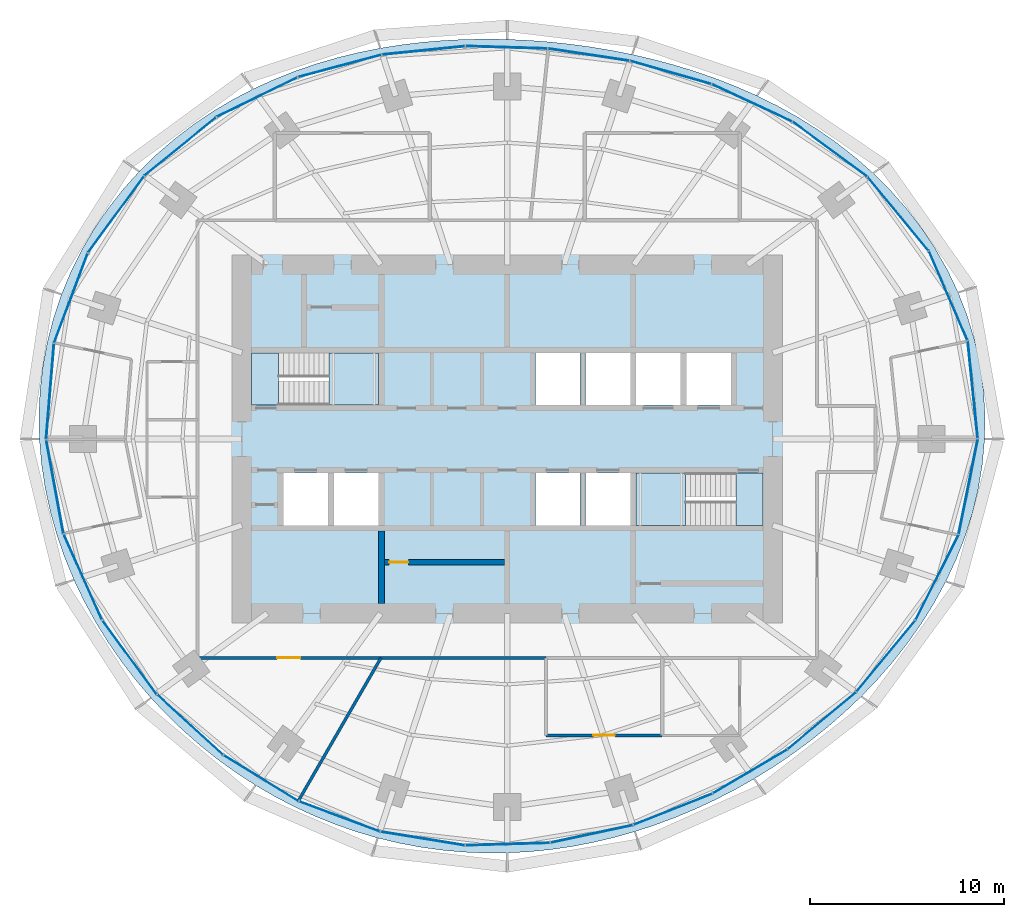
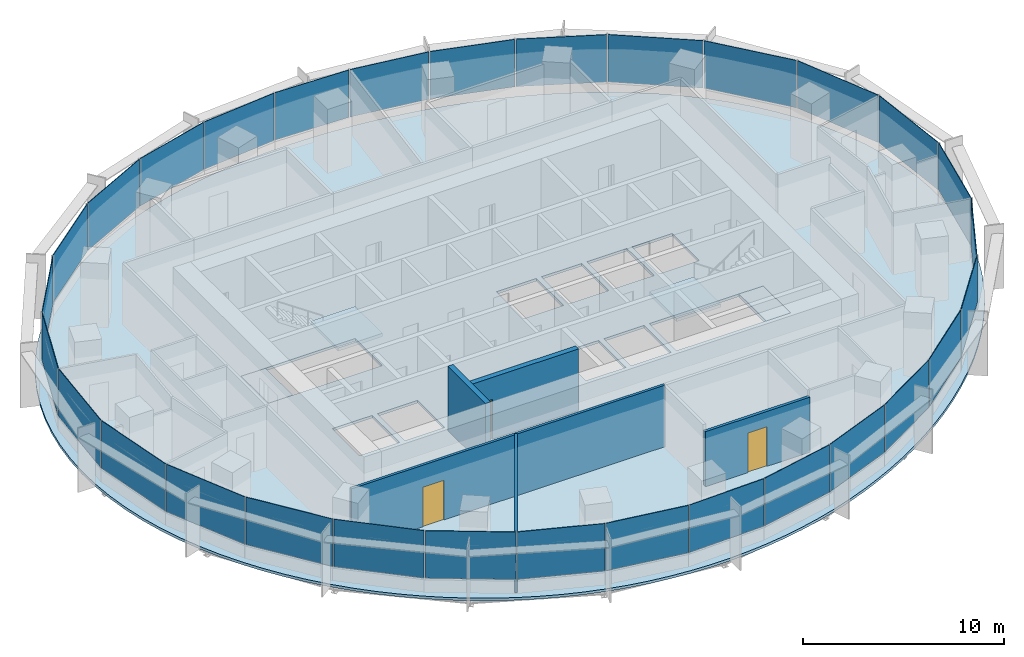
# One storey, part 9 of 14: 30 plates, 5 slabs, 5 walls, 3 doors, 3 openings, 8 elements without a shape of their own.
"""IFC4 building model written with IfcOpenShell, lengths in metres."""

from ifc_helpers import new_model, si_unit, direction, frame, frame_2d, origin, origin_2d, place, context, subcontext, project, spatial, polyline, rectangle, outline, extrude, material, layer, layer_set, type_object, element, fill, aggregate, save


model = new_model("IFC4")

# Units and contexts
model_context = context("Model", 3, precision=1e-05, world=origin(), true_north=direction((0.0, 1.0)))
body_context = subcontext(model_context, "Body", "Model", "MODEL_VIEW")
ifc_project = project(units=[si_unit("LENGTHUNIT", "METRE"), si_unit("AREAUNIT", "SQUARE_METRE"), si_unit("VOLUMEUNIT", "CUBIC_METRE"), si_unit("PLANEANGLEUNIT", "RADIAN"), si_unit("MASSUNIT", "GRAM", prefix="KILO")], contexts=[model_context])

# Site, building, storey
site_placement = place(None, origin())
site = spatial("IfcSite", under=ifc_project, at=site_placement, CompositionType="ELEMENT")
building_placement = place(site_placement, origin())
building = spatial("IfcBuilding", under=site, at=building_placement, Name="Marramba Exchange Tower", CompositionType="ELEMENT")
storey_placement = place(building_placement, frame((0.0, 0.0, 176.0)))
storey = spatial("IfcBuildingStorey", under=building, at=storey_placement, Name="L42", CompositionType="ELEMENT", Elevation=176.0)

# Slab
ifc_material_1 = material(Name="Concrete N40", Category="concrete")
ifc_layer_1 = layer(ifc_material_1, 0.159912109375)
ifc_layer_set_1 = layer_set([ifc_layer_1], Name="Composite floor slab 160")
slab_type_1 = type_object("IfcSlabType", Name="Composite floor slab 160", PredefinedType="FLOOR", material=ifc_layer_set_1)
slab_1_placement = place(storey_placement, frame((0.0, 0.0, -0.159912109375)))
element("IfcSlab", 1, at=slab_1_placement, inside=storey, type_object=slab_type_1, Name="Floor slab L42", PredefinedType="FLOOR", context=body_context, shape_type="SweptSolid", body=[
    extrude(outline(polyline([(24.64404296875, 0.0), (24.661376953125, 1.29248046875), (24.580078125, 2.58349609375), (24.399658203125, 3.864501953125), (24.12109375, 5.127197265625), (23.7470703125, 6.363037109375), (23.281494140625, 7.564697265625), (22.72900390625, 8.724853515625), (22.095947265625, 9.837646484375), (21.388427734375, 10.89794921875), (20.614013671875, 11.901611328125), (19.780029296875, 12.845458984375), (18.894287109375, 13.7275390625), (17.964111328125, 14.547119140625), (16.996826171875, 15.303955078125), (15.9990234375, 15.9990234375), (14.977294921875, 16.634033203125), (13.936767578125, 17.21044921875), (12.882568359375, 17.7314453125), (11.819091796875, 18.19970703125), (10.749267578125, 18.6181640625), (9.67578125, 18.989990234375), (8.60107421875, 19.318115234375), (7.52587890625, 19.60546875), (6.451171875, 19.8544921875), (5.377197265625, 20.067626953125), (4.303466796875, 20.246337890625), (3.229736328125, 20.39208984375), (2.1552734375, 20.50537109375), (1.078857421875, 20.5869140625), (0.0, 20.63623046875), (-1.082275390625, 20.652587890625), (-2.168701171875, 20.634765625), (-3.259765625, 20.580810546875), (-4.35498046875, 20.4892578125), (-5.45458984375, 20.35693359375), (-6.557373046875, 20.181884765625), (-7.662353515625, 19.9609375), (-8.76708984375, 19.691162109375), (-9.869384765625, 19.369873046875), (-10.96630859375, 18.994384765625), (-12.05419921875, 18.561767578125), (-13.128662109375, 18.070068359375), (-14.185546875, 17.517578125), (-15.218994140625, 16.902587890625), (-16.22412109375, 16.22412109375), (-17.195068359375, 15.482421875), (-18.12548828125, 14.677734375), (-19.009521484375, 13.811279296875), (-19.841064453125, 12.885009765625), (-20.614013671875, 11.901611328125), (-21.32275390625, 10.864501953125), (-21.9619140625, 9.778076171875), (-22.52685546875, 8.647216796875), (-23.01318359375, 7.477294921875), (-23.417724609375, 6.274658203125), (-23.73779296875, 5.045654296875), (-23.971923828125, 3.796875), (-24.119384765625, 2.53515625), (-24.180419921875, 1.267333984375), (-24.156005859375, 0.0), (-24.04833984375, -1.26025390625), (-23.860107421875, -2.5078125), (-23.594482421875, -3.737060546875), (-23.25537109375, -4.943115234375), (-22.846923828125, -6.121826171875), (-22.373291015625, -7.26953125), (-21.8388671875, -8.38330078125), (-21.247802734375, -9.460205078125), (-20.604248046875, -10.49853515625), (-19.912109375, -11.496337890625), (-19.174560546875, -12.4521484375), (-18.395263671875, -13.364990234375), (-17.5771484375, -14.233642578125), (-16.72265625, -15.05712890625), (-15.834228515625, -15.834228515625), (-14.914794921875, -16.564453125), (-13.966064453125, -17.24658203125), (-12.990234375, -17.879638671875), (-11.98974609375, -18.46240234375), (-10.96630859375, -18.994384765625), (-9.922607421875, -19.47412109375), (-8.860595703125, -19.901123046875), (-7.78271484375, -20.2744140625), (-6.691162109375, -20.593505859375), (-5.5888671875, -20.858154296875), (-4.478271484375, -21.068115234375), (-3.361328125, -21.22314453125), (-2.2412109375, -21.32373046875), (-1.119873046875, -21.370361328125), (0.0, -21.36376953125), (1.116455078125, -21.3046875), (2.2275390625, -21.194580078125), (3.33154296875, -21.0341796875), (4.426513671875, -20.8251953125), (5.511474609375, -20.56884765625), (6.5849609375, -20.266357421875), (7.646240234375, -19.919189453125), (8.694580078125, -19.528076171875), (9.72900390625, -19.09423828125), (10.749267578125, -18.6181640625), (11.75439453125, -18.100341796875), (12.744140625, -17.541015625), (13.71728515625, -16.939697265625), (14.6728515625, -16.2958984375), (15.609130859375, -15.609130859375), (16.5244140625, -14.878662109375), (17.415771484375, -14.10302734375), (18.280029296875, -13.28125), (19.11376953125, -12.41259765625), (19.912109375, -11.496337890625), (20.669921875, -10.531982421875), (21.3818359375, -9.519775390625), (22.041259765625, -8.4609375), (22.641845703125, -7.356689453125), (23.176513671875, -6.210205078125), (23.638671875, -5.024658203125), (24.022216796875, -3.8046875), (24.32080078125, -2.55615234375), (24.529541015625, -1.28564453125), (24.64404296875, 0.0)]), holes=[polyline([(1.449951171875, 1.75), (3.75, 1.75), (3.75, 4.449951171875), (1.449951171875, 4.449951171875), (1.449951171875, 1.75)]), polyline([(4.050048828125, 1.75), (6.35009765625, 1.75), (6.35009765625, 4.449951171875), (4.050048828125, 4.449951171875), (4.050048828125, 1.75)]), polyline([(1.449951171875, -4.449951171875), (3.75, -4.449951171875), (3.75, -1.75), (1.449951171875, -1.75), (1.449951171875, -4.449951171875)]), polyline([(4.050048828125, -4.449951171875), (6.35009765625, -4.449951171875), (6.35009765625, -1.75), (4.050048828125, -1.75), (4.050048828125, -4.449951171875)]), polyline([(6.64990234375, 1.75), (8.949951171875, 1.75), (8.949951171875, 4.449951171875), (6.64990234375, 4.449951171875), (6.64990234375, 1.75)]), polyline([(-8.949951171875, -4.449951171875), (-6.64990234375, -4.449951171875), (-6.64990234375, -1.75), (-8.949951171875, -1.75), (-8.949951171875, -4.449951171875)]), polyline([(-11.550048828125, -4.449951171875), (-9.25, -4.449951171875), (-9.25, -1.75), (-11.550048828125, -1.75), (-11.550048828125, -4.449951171875)]), polyline([(9.25, 1.75), (11.550048828125, 1.75), (11.550048828125, 4.449951171875), (9.25, 4.449951171875), (9.25, 1.75)]), polyline([(-13.199951171875, 1.75), (-6.64990234375, 1.75), (-6.64990234375, 4.449951171875), (-13.199951171875, 4.449951171875), (-13.199951171875, 1.75)]), polyline([(6.64990234375, -4.449951171875), (13.199951171875, -4.449951171875), (13.199951171875, -1.75), (6.64990234375, -1.75), (6.64990234375, -4.449951171875)])]), origin(), (0.0, 0.0, 1.0), 0.159912109375),
])

# Curtain wall, plates
ifc_material_2 = material(Name="Aluminium framing, bronze anodised", Category="aluminium")
curtain_wall_type = type_object("IfcCurtainWallType", Name="Office ribbon curtain wall", PredefinedType="USERDEFINED", material=ifc_material_2)
curtain_wall_1_placement = place(storey_placement, origin())
curtain_wall_1 = element("IfcCurtainWall", 2, at=curtain_wall_1_placement, inside=storey, type_object=curtain_wall_type, Name="Curtain wall CW4 L42 F01-F05", ObjectType="RIBBON CURTAIN WALL", PredefinedType="USERDEFINED")
ifc_material_3 = material(Name="Laminated double glazed unit 10.76 + 16 + 10.76, bronze tinted", Category="glass")
ifc_layer_2 = layer(ifc_material_3, 0.03759765625)
ifc_layer_set_2 = layer_set([ifc_layer_2], Name="Office ribbon curtain wall panel")
plate_type = type_object("IfcPlateType", Name="Office ribbon curtain wall panel", PredefinedType="CURTAIN_PANEL", material=ifc_layer_set_2)
plate_1_placement = place(storey_placement, frame((24.033203125, 2.556884765625, 0.860107421875), z_axis=(0.0, 0.0, 1.0), x_axis=(-0.101422472607, 0.994843446001, 0.0)))
plate_1 = element("IfcPlate", 3, at=plate_1_placement, type_object=plate_type, Name="CW4 vision panel", PredefinedType="CURTAIN_PANEL", context=body_context, shape_type="SweptSolid", body=[
    extrude(rectangle(XDim=5.0205078125, YDim=0.03759765625, at=origin_2d()), origin(), (0.0, 0.0, 1.0), 2.8798828125),
])
plate_2_placement = place(storey_placement, frame((22.765625, 7.40234375, 0.860107421875), z_axis=(0.0, 0.0, 1.0), x_axis=(-0.396193346946, 0.918167104527, 0.0)))
plate_2 = element("IfcPlate", 4, at=plate_2_placement, type_object=plate_type, Name="CW4 vision panel", PredefinedType="CURTAIN_PANEL", context=body_context, shape_type="SweptSolid", body=[
    extrude(rectangle(XDim=4.99462890625, YDim=0.03759765625, at=origin_2d()), origin(), (0.0, 0.0, 1.0), 2.8798828125),
])
plate_3_placement = place(storey_placement, frame((20.174560546875, 11.631591796875, 0.860107421875), z_axis=(0.0, 0.0, 1.0), x_axis=(-0.637350227411, 0.770574258342, 0.0)))
plate_3 = element("IfcPlate", 5, at=plate_3_placement, type_object=plate_type, Name="CW4 vision panel", PredefinedType="CURTAIN_PANEL", context=body_context, shape_type="SweptSolid", body=[
    extrude(rectangle(XDim=4.90576171875, YDim=0.03759765625, at=origin_2d()), origin(), (0.0, 0.0, 1.0), 2.8798828125),
])
plate_4_placement = place(storey_placement, frame((16.653076171875, 14.965576171875, 0.860107421875), z_axis=(0.0, 0.0, 1.0), x_axis=(-0.804877259395, 0.593441317494, 0.0)))
plate_4 = element("IfcPlate", 6, at=plate_4_placement, type_object=plate_type, Name="CW4 vision panel", PredefinedType="CURTAIN_PANEL", context=body_context, shape_type="SweptSolid", body=[
    extrude(rectangle(XDim=4.745849609375, YDim=0.03759765625, at=origin_2d()), origin(), (0.0, 0.0, 1.0), 2.8798828125),
])
plate_5_placement = place(storey_placement, frame((12.63134765625, 17.357177734375, 0.860107421875), z_axis=(0.0, 0.0, 1.0), x_axis=(-0.906533907301, 0.422133006189, 0.0)))
plate_5 = element("IfcPlate", 7, at=plate_5_placement, type_object=plate_type, Name="CW4 vision panel", PredefinedType="CURTAIN_PANEL", context=body_context, shape_type="SweptSolid", body=[
    extrude(rectangle(XDim=4.53857421875, YDim=0.03759765625, at=origin_2d()), origin(), (0.0, 0.0, 1.0), 2.8798828125),
])
aggregate(curtain_wall_1, [plate_1, plate_2, plate_3, plate_4, plate_5])

curtain_wall_2_placement = place(storey_placement, origin())
curtain_wall_2 = element("IfcCurtainWall", 8, at=curtain_wall_2_placement, inside=storey, type_object=curtain_wall_type, Name="Curtain wall CW4 L42 F06-F10", ObjectType="RIBBON CURTAIN WALL", PredefinedType="USERDEFINED")
plate_6_placement = place(storey_placement, frame((8.4296875, 18.926513671875, 0.860107421875), z_axis=(0.0, 0.0, 1.0), x_axis=(-0.961658954195, 0.274248164656, 0.0)))
plate_6 = element("IfcPlate", 9, at=plate_6_placement, type_object=plate_type, Name="CW4 vision panel", PredefinedType="CURTAIN_PANEL", context=body_context, shape_type="SweptSolid", body=[
    extrude(rectangle(XDim=4.33984375, YDim=0.03759765625, at=origin_2d()), origin(), (0.0, 0.0, 1.0), 2.8798828125),
])
plate_7_placement = place(storey_placement, frame((4.201171875, 19.843994140625, 0.860107421875), z_axis=(0.0, 0.0, 1.0), x_axis=(-0.988868065698, 0.148794988635, 0.0)))
plate_7 = element("IfcPlate", 10, at=plate_7_placement, type_object=plate_type, Name="CW4 vision panel", PredefinedType="CURTAIN_PANEL", context=body_context, shape_type="SweptSolid", body=[
    extrude(rectangle(XDim=4.2119140625, YDim=0.03759765625, at=origin_2d()), origin(), (0.0, 0.0, 1.0), 2.8798828125),
])
plate_8_placement = place(storey_placement, frame((-0.036865234375, 20.222900390625, 0.860107421875), z_axis=(0.0, 0.0, 1.0), x_axis=(-0.999538000143, 0.03039385249, 0.0)))
plate_8 = element("IfcPlate", 11, at=plate_8_placement, type_object=plate_type, Name="CW4 vision panel", PredefinedType="CURTAIN_PANEL", context=body_context, shape_type="SweptSolid", body=[
    extrude(rectangle(XDim=4.19287109375, YDim=0.03759765625, at=origin_2d()), origin(), (0.0, 0.0, 1.0), 2.8798828125),
])
plate_9_placement = place(storey_placement, frame((-4.320556640625, 20.064697265625, 0.860107421875), z_axis=(0.0, 0.0, 1.0), x_axis=(-0.994900357369, -0.100862673507, 0.0)))
plate_9 = element("IfcPlate", 12, at=plate_9_placement, type_object=plate_type, Name="CW4 vision panel", PredefinedType="CURTAIN_PANEL", context=body_context, shape_type="SweptSolid", body=[
    extrude(rectangle(XDim=4.279296875, YDim=0.03759765625, at=origin_2d()), origin(), (0.0, 0.0, 1.0), 2.8798828125),
])
plate_10_placement = place(storey_placement, frame((-8.6494140625, 19.262451171875, 0.860107421875), z_axis=(0.0, 0.0, 1.0), x_axis=(-0.966240653155, -0.257641223778, 0.0)))
plate_10 = element("IfcPlate", 13, at=plate_10_placement, type_object=plate_type, Name="CW4 vision panel", PredefinedType="CURTAIN_PANEL", context=body_context, shape_type="SweptSolid", body=[
    extrude(rectangle(XDim=4.433837890625, YDim=0.03759765625, at=origin_2d()), origin(), (0.0, 0.0, 1.0), 2.8798828125),
])
aggregate(curtain_wall_2, [plate_6, plate_7, plate_8, plate_9, plate_10])

curtain_wall_3_placement = place(storey_placement, origin())
curtain_wall_3 = element("IfcCurtainWall", 14, at=curtain_wall_3_placement, inside=storey, type_object=curtain_wall_type, Name="Curtain wall CW4 L42 F11-F15", ObjectType="RIBBON CURTAIN WALL", PredefinedType="USERDEFINED")
plate_11_placement = place(storey_placement, frame((-12.9150390625, 17.653564453125, 0.860107421875), z_axis=(0.0, 0.0, 1.0), x_axis=(-0.898500518805, -0.438972456661, 0.0)))
plate_11 = element("IfcPlate", 15, at=plate_11_placement, type_object=plate_type, Name="CW4 vision panel", PredefinedType="CURTAIN_PANEL", context=body_context, shape_type="SweptSolid", body=[
    extrude(rectangle(XDim=4.607177734375, YDim=0.03759765625, at=origin_2d()), origin(), (0.0, 0.0, 1.0), 2.8798828125),
])
plate_12_placement = place(storey_placement, frame((-16.87890625, 15.10498046875, 0.860107421875), z_axis=(0.0, 0.0, 1.0), x_axis=(-0.776432169145, -0.630200830464, 0.0)))
plate_12 = element("IfcPlate", 16, at=plate_12_placement, type_object=plate_type, Name="CW4 vision panel", PredefinedType="CURTAIN_PANEL", context=body_context, shape_type="SweptSolid", body=[
    extrude(rectangle(XDim=4.7587890625, YDim=0.03759765625, at=origin_2d()), origin(), (0.0, 0.0, 1.0), 2.8798828125),
])
plate_13_placement = place(storey_placement, frame((-20.2021484375, 11.596435546875, 0.860107421875), z_axis=(0.0, 0.0, 1.0), x_axis=(-0.591962922138, -0.805965197024, 0.0)))
plate_13 = element("IfcPlate", 17, at=plate_13_placement, type_object=plate_type, Name="CW4 vision panel", PredefinedType="CURTAIN_PANEL", context=body_context, shape_type="SweptSolid", body=[
    extrude(rectangle(XDim=4.865478515625, YDim=0.03759765625, at=origin_2d()), origin(), (0.0, 0.0, 1.0), 2.8798828125),
])
plate_14_placement = place(storey_placement, frame((-22.529296875, 7.276123046875, 0.860107421875), z_axis=(0.0, 0.0, 1.0), x_axis=(-0.351951515885, -0.936018231909, 0.0)))
plate_14 = element("IfcPlate", 18, at=plate_14_placement, type_object=plate_type, Name="CW4 vision panel", PredefinedType="CURTAIN_PANEL", context=body_context, shape_type="SweptSolid", body=[
    extrude(rectangle(XDim=4.921630859375, YDim=0.03759765625, at=origin_2d()), origin(), (0.0, 0.0, 1.0), 2.8798828125),
])
plate_15_placement = place(storey_placement, frame((-23.603271484375, 2.45654296875, 0.860107421875), z_axis=(0.0, 0.0, 1.0), x_axis=(-0.082280890264, -0.996609178714, 0.0)))
plate_15 = element("IfcPlate", 19, at=plate_15_placement, type_object=plate_type, Name="CW4 vision panel", PredefinedType="CURTAIN_PANEL", context=body_context, shape_type="SweptSolid", body=[
    extrude(rectangle(XDim=4.9296875, YDim=0.03759765625, at=origin_2d()), origin(), (0.0, 0.0, 1.0), 2.8798828125),
])
aggregate(curtain_wall_3, [plate_11, plate_12, plate_13, plate_14, plate_15])

curtain_wall_4_placement = place(storey_placement, origin())
curtain_wall_4 = element("IfcCurtainWall", 20, at=curtain_wall_4_placement, inside=storey, type_object=curtain_wall_type, Name="Curtain wall CW4 L42 F16-F20", ObjectType="RIBBON CURTAIN WALL", PredefinedType="USERDEFINED")
plate_16_placement = place(storey_placement, frame((-23.354248046875, -2.464599609375, 0.860107421875), z_axis=(0.0, 0.0, 1.0), x_axis=(0.180327438996, -0.983606636184, 0.0)))
plate_16 = element("IfcPlate", 21, at=plate_16_placement, type_object=plate_type, Name="CW4 vision panel", PredefinedType="CURTAIN_PANEL", context=body_context, shape_type="SweptSolid", body=[
    extrude(rectangle(XDim=4.8916015625, YDim=0.03759765625, at=origin_2d()), origin(), (0.0, 0.0, 1.0), 2.8798828125),
])
plate_17_placement = place(storey_placement, frame((-21.908447265625, -7.12158203125, 0.860107421875), z_axis=(0.0, 0.0, 1.0), x_axis=(0.407557580942, -0.913179510401, 0.0)))
plate_17 = element("IfcPlate", 22, at=plate_17_placement, type_object=plate_type, Name="CW4 vision panel", PredefinedType="CURTAIN_PANEL", context=body_context, shape_type="SweptSolid", body=[
    extrude(rectangle(XDim=4.810302734375, YDim=0.03759765625, at=origin_2d()), origin(), (0.0, 0.0, 1.0), 2.8798828125),
])
plate_18_placement = place(storey_placement, frame((-19.50244140625, -11.2626953125, 0.860107421875), z_axis=(0.0, 0.0, 1.0), x_axis=(0.591223103363, -0.806508054547, 0.0)))
plate_18 = element("IfcPlate", 23, at=plate_18_placement, type_object=plate_type, Name="CW4 vision panel", PredefinedType="CURTAIN_PANEL", context=body_context, shape_type="SweptSolid", body=[
    extrude(rectangle(XDim=4.703125, YDim=0.03759765625, at=origin_2d()), origin(), (0.0, 0.0, 1.0), 2.8798828125),
])
plate_19_placement = place(storey_placement, frame((-16.374267578125, -14.752197265625, 0.860107421875), z_axis=(0.0, 0.0, 1.0), x_axis=(0.737203264245, -0.67567103474, 0.0)))
plate_19 = element("IfcPlate", 24, at=plate_19_placement, type_object=plate_type, Name="CW4 vision panel", PredefinedType="CURTAIN_PANEL", context=body_context, shape_type="SweptSolid", body=[
    extrude(rectangle(XDim=4.594970703125, YDim=0.03759765625, at=origin_2d()), origin(), (0.0, 0.0, 1.0), 2.8798828125),
])
plate_20_placement = place(storey_placement, frame((-12.71044921875, -17.513427734375, 0.860107421875), z_axis=(0.0, 0.0, 1.0), x_axis=(0.85230101176, -0.52305160869, 0.0)))
plate_20 = element("IfcPlate", 25, at=plate_20_placement, type_object=plate_type, Name="CW4 vision panel", PredefinedType="CURTAIN_PANEL", context=body_context, shape_type="SweptSolid", body=[
    extrude(rectangle(XDim=4.503173828125, YDim=0.03759765625, at=origin_2d()), origin(), (0.0, 0.0, 1.0), 2.8798828125),
])
aggregate(curtain_wall_4, [plate_16, plate_17, plate_18, plate_19, plate_20])

curtain_wall_5_placement = place(storey_placement, origin())
curtain_wall_5 = element("IfcCurtainWall", 26, at=curtain_wall_5_placement, inside=storey, type_object=curtain_wall_type, Name="Curtain wall CW4 L42 F21-F25", ObjectType="RIBBON CURTAIN WALL", PredefinedType="USERDEFINED")
plate_21_placement = place(storey_placement, frame((-8.6591796875, -19.486572265625, 0.860107421875), z_axis=(0.0, 0.0, 1.0), x_axis=(0.936951583142, -0.349459197687, 0.0)))
plate_21 = element("IfcPlate", 27, at=plate_21_placement, type_object=plate_type, Name="CW4 vision panel", PredefinedType="CURTAIN_PANEL", context=body_context, shape_type="SweptSolid", body=[
    extrude(rectangle(XDim=4.431396484375, YDim=0.03759765625, at=origin_2d()), origin(), (0.0, 0.0, 1.0), 2.8798828125),
])
plate_22_placement = place(storey_placement, frame((-4.3642578125, -20.623046875, 0.860107421875), z_axis=(0.0, 0.0, 1.0), x_axis=(0.986930623159, -0.161145726194, 0.0)))
plate_22 = element("IfcPlate", 28, at=plate_22_placement, type_object=plate_type, Name="CW4 vision panel", PredefinedType="CURTAIN_PANEL", context=body_context, shape_type="SweptSolid", body=[
    extrude(rectangle(XDim=4.37646484375, YDim=0.03759765625, at=origin_2d()), origin(), (0.0, 0.0, 1.0), 2.8798828125),
])
plate_23_placement = place(storey_placement, frame((0.023193359375, -20.91015625, 0.860107421875), z_axis=(0.0, 0.0, 1.0), x_axis=(0.99956791915, 0.029393451762, 0.0)))
plate_23 = element("IfcPlate", 29, at=plate_23_placement, type_object=plate_type, Name="CW4 vision panel", PredefinedType="CURTAIN_PANEL", context=body_context, shape_type="SweptSolid", body=[
    extrude(rectangle(XDim=4.337646484375, YDim=0.03759765625, at=origin_2d()), origin(), (0.0, 0.0, 1.0), 2.8798828125),
])
plate_24_placement = place(storey_placement, frame((4.36328125, -20.3837890625, 0.860107421875), z_axis=(0.0, 0.0, 1.0), x_axis=(0.978058069607, 0.208332456608, 0.0)))
plate_24 = element("IfcPlate", 30, at=plate_24_placement, type_object=plate_type, Name="CW4 vision panel", PredefinedType="CURTAIN_PANEL", context=body_context, shape_type="SweptSolid", body=[
    extrude(rectangle(XDim=4.32177734375, YDim=0.03759765625, at=origin_2d()), origin(), (0.0, 0.0, 1.0), 2.8798828125),
])
plate_25_placement = place(storey_placement, frame((8.553466796875, -19.11328125, 0.860107421875), z_axis=(0.0, 0.0, 1.0), x_axis=(0.93007301435, 0.367374724195, 0.0)))
plate_25 = element("IfcPlate", 31, at=plate_25_placement, type_object=plate_type, Name="CW4 vision panel", PredefinedType="CURTAIN_PANEL", context=body_context, shape_type="SweptSolid", body=[
    extrude(rectangle(XDim=4.345458984375, YDim=0.03759765625, at=origin_2d()), origin(), (0.0, 0.0, 1.0), 2.8798828125),
])
aggregate(curtain_wall_5, [plate_21, plate_22, plate_23, plate_24, plate_25])

curtain_wall_6_placement = place(storey_placement, origin())
curtain_wall_6 = element("IfcCurtainWall", 32, at=curtain_wall_6_placement, inside=storey, type_object=curtain_wall_type, Name="Curtain wall CW4 L42 F26-F30", ObjectType="RIBBON CURTAIN WALL", PredefinedType="USERDEFINED")
plate_26_placement = place(storey_placement, frame((12.5322265625, -17.16015625, 0.860107421875), z_axis=(0.0, 0.0, 1.0), x_axis=(0.861350833897, 0.508010571686, 0.0)))
plate_26 = element("IfcPlate", 33, at=plate_26_placement, type_object=plate_type, Name="CW4 vision panel", PredefinedType="CURTAIN_PANEL", context=body_context, shape_type="SweptSolid", body=[
    extrude(rectangle(XDim=4.426513671875, YDim=0.03759765625, at=origin_2d()), origin(), (0.0, 0.0, 1.0), 2.8798828125),
])
plate_27_placement = place(storey_placement, frame((16.240966796875, -14.536376953125, 0.860107421875), z_axis=(0.0, 0.0, 1.0), x_axis=(0.768736798421, 0.639565270127, 0.0)))
plate_27 = element("IfcPlate", 34, at=plate_27_placement, type_object=plate_type, Name="CW4 vision panel", PredefinedType="CURTAIN_PANEL", context=body_context, shape_type="SweptSolid", body=[
    extrude(rectangle(XDim=4.568603515625, YDim=0.03759765625, at=origin_2d()), origin(), (0.0, 0.0, 1.0), 2.8798828125),
])
plate_28_placement = place(storey_placement, frame((19.548583984375, -11.203369140625, 0.860107421875), z_axis=(0.0, 0.0, 1.0), x_axis=(0.63814998673, 0.769912069289, 0.0)))
plate_28 = element("IfcPlate", 35, at=plate_28_placement, type_object=plate_type, Name="CW4 vision panel", PredefinedType="CURTAIN_PANEL", context=body_context, shape_type="SweptSolid", body=[
    extrude(rectangle(XDim=4.7431640625, YDim=0.03759765625, at=origin_2d()), origin(), (0.0, 0.0, 1.0), 2.8798828125),
])
plate_29_placement = place(storey_placement, frame((22.19287109375, -7.137939453125, 0.860107421875), z_axis=(0.0, 0.0, 1.0), x_axis=(0.450673083956, 0.892689067591, 0.0)))
plate_29 = element("IfcPlate", 36, at=plate_29_placement, type_object=plate_type, Name="CW4 vision panel", PredefinedType="CURTAIN_PANEL", context=body_context, shape_type="SweptSolid", body=[
    extrude(rectangle(XDim=4.897705078125, YDim=0.03759765625, at=origin_2d()), origin(), (0.0, 0.0, 1.0), 2.8798828125),
])
plate_30_placement = place(storey_placement, frame((23.801025390625, -2.446533203125, 0.860107421875), z_axis=(0.0, 0.0, 1.0), x_axis=(0.197495405316, 0.980303812539, 0.0)))
plate_30 = element("IfcPlate", 37, at=plate_30_placement, type_object=plate_type, Name="CW4 vision panel", PredefinedType="CURTAIN_PANEL", context=body_context, shape_type="SweptSolid", body=[
    extrude(rectangle(XDim=4.9912109375, YDim=0.03759765625, at=origin_2d()), origin(), (0.0, 0.0, 1.0), 2.8798828125),
])
aggregate(curtain_wall_6, [plate_26, plate_27, plate_28, plate_29, plate_30])

# Stair, slabs
ifc_material_4 = material(Name="Concrete N40 (40 MPa)", Category="concrete")
stair_type_1 = type_object("IfcStairType", Name="Exit stair ST1 3900 x 1250", PredefinedType="HALF_TURN_STAIR", material=ifc_material_4)
stair_1_placement = place(storey_placement, origin())
stair_1 = element("IfcStair", 38, at=stair_1_placement, inside=storey, type_object=stair_type_1, Name="Exit stair ST1 L42", PredefinedType="HALF_TURN_STAIR")
ifc_layer_3 = layer(ifc_material_4, 0.199951171875)
ifc_layer_set_3 = layer_set([ifc_layer_3], Name="Stair landing 200")
slab_type_2 = type_object("IfcSlabType", Name="Stair landing 200", PredefinedType="LANDING", material=ifc_layer_set_3)
slab_2_placement = place(storey_placement, frame((0.0, 0.0, -0.199951171875)))
slab_2 = element("IfcSlab", 39, at=slab_2_placement, type_object=slab_type_2, Name="ST1 landing 1", PredefinedType="LANDING", context=body_context, shape_type="SweptSolid", body=[
    extrude(outline(polyline([(-13.199951171875, 1.75), (-11.800048828125, 1.75), (-11.800048828125, 4.449951171875), (-13.199951171875, 4.449951171875), (-13.199951171875, 1.75)])), origin(), (0.0, 0.0, 1.0), 0.199951171875),
])
slab_3_placement = place(storey_placement, frame((0.0, 0.0, 1.75)))
slab_3 = element("IfcSlab", 40, at=slab_3_placement, type_object=slab_type_2, Name="ST1 landing 2", PredefinedType="LANDING", context=body_context, shape_type="SweptSolid", body=[
    extrude(outline(polyline([(-9.199951171875, 1.75), (-6.64990234375, 1.75), (-6.64990234375, 4.449951171875), (-9.199951171875, 4.449951171875), (-9.199951171875, 1.75)])), origin(), (0.0, 0.0, 1.0), 0.199951171875),
])
aggregate(stair_1, [slab_2, slab_3])

stair_type_2 = type_object("IfcStairType", Name="Exit stair ST2 3900 x 1250", PredefinedType="HALF_TURN_STAIR", material=ifc_material_4)
stair_2_placement = place(storey_placement, origin())
stair_2 = element("IfcStair", 41, at=stair_2_placement, inside=storey, type_object=stair_type_2, Name="Exit stair ST2 L42", PredefinedType="HALF_TURN_STAIR")
slab_4_placement = place(storey_placement, frame((0.0, 0.0, -0.199951171875)))
slab_4 = element("IfcSlab", 42, at=slab_4_placement, type_object=slab_type_2, Name="ST2 landing 1", PredefinedType="LANDING", context=body_context, shape_type="SweptSolid", body=[
    extrude(outline(polyline([(11.800048828125, -4.449951171875), (13.199951171875, -4.449951171875), (13.199951171875, -1.75), (11.800048828125, -1.75), (11.800048828125, -4.449951171875)])), origin(), (0.0, 0.0, 1.0), 0.199951171875),
])
slab_5_placement = place(storey_placement, frame((0.0, 0.0, 1.75)))
slab_5 = element("IfcSlab", 43, at=slab_5_placement, type_object=slab_type_2, Name="ST2 landing 2", PredefinedType="LANDING", context=body_context, shape_type="SweptSolid", body=[
    extrude(outline(polyline([(6.64990234375, -4.449951171875), (9.199951171875, -4.449951171875), (9.199951171875, -1.75), (6.64990234375, -1.75), (6.64990234375, -4.449951171875)])), origin(), (0.0, 0.0, 1.0), 0.199951171875),
])
aggregate(stair_2, [slab_4, slab_5])

# Wall, opening, door
ifc_material_5 = material(Name="Plasterboard on staggered double steel studs, acoustic insulation", Category="steel")
ifc_layer_4 = layer(ifc_material_5, 0.169921875)
ifc_layer_set_4 = layer_set([ifc_layer_4], Name="Acoustic partition 170")
wall_type_1 = type_object("IfcWallType", Name="Acoustic partition 170", PredefinedType="PARTITIONING", material=ifc_layer_set_4)
wall_1_placement = place(storey_placement, frame((2.0, -15.300048828125, 0.0), z_axis=(0.0, 0.0, 1.0), x_axis=(1.0, 0.0, 0.0)))
wall_1 = element("IfcWall", 44, at=wall_1_placement, inside=storey, type_object=wall_type_1, Name="Acoustic partition L42 07", PredefinedType="PARTITIONING", context=body_context, shape_type="SweptSolid", body=[
    extrude(rectangle(XDim=6.0, YDim=0.169921875, at=frame_2d((3.0, 0.0))), origin(), (0.0, 0.0, 1.0), 3.333984375),
])
opening_1_placement = place(wall_1_placement, frame((2.449951171875, 0.0, 0.0)))
opening_1 = element("IfcOpeningElement", 45, at=opening_1_placement, cuts=wall_1, Name="Opening D15", PredefinedType="OPENING", context=body_context, shape_type="SweptSolid", body=[
    extrude(rectangle(XDim=1.10009765625, YDim=2.39990234375, at=frame_2d((0.550048828125, 1.199951171875))), frame((0.0, 0.094970703125, 0.0), z_axis=(0.0, -1.0, 0.0), x_axis=(1.0, 0.0, 0.0)), (0.0, 0.0, 1.0), 0.18994140625),
])
ifc_material_6 = material(Name="Timber door", Category="wood")
door_type_1 = type_object("IfcDoorType", Name="Glazed meeting room door 1100x2400", OperationType="SINGLE_SWING_LEFT", PredefinedType="DOOR", material=ifc_material_6)
door_1_placement = place(opening_1_placement, origin())
door_1 = element("IfcDoor", 46, at=door_1_placement, inside=storey, type_object=door_type_1, Name="D15 Meeting Room 2 L42", OperationType="SINGLE_SWING_RIGHT", OverallHeight=2.39990234375, OverallWidth=1.10009765625, PredefinedType="DOOR", context=body_context, shape_type="SweptSolid", body=[
    extrude(rectangle(XDim=1.10009765625, YDim=2.39990234375, at=frame_2d((0.550048828125, 1.199951171875))), frame((0.0, 0.02490234375, 0.0), z_axis=(0.0, -1.0, 0.0), x_axis=(1.0, 0.0, 0.0)), (0.0, 0.0, 1.0), 0.050048828125),
])
fill(opening_1, door_1)

# Wall
ifc_material_7 = material(Name="Concrete N50", Category="concrete")
ifc_layer_5 = layer(ifc_material_7, 0.300048828125)
ifc_layer_set_5 = layer_set([ifc_layer_5], Name="Core wall 300")
wall_type_2 = type_object("IfcWallType", Name="Core wall 300", PredefinedType="SHEAR", material=ifc_layer_set_5)
wall_2_placement = place(storey_placement, frame((-6.5, -4.75, 0.0), z_axis=(0.0, 0.0, 1.0), x_axis=(0.0, -1.0, 0.0)))
element("IfcWall", 47, at=wall_2_placement, inside=storey, type_object=wall_type_2, Name="Core wall X0Sb L42", PredefinedType="SHEAR", context=body_context, shape_type="SweptSolid", body=[
    extrude(rectangle(XDim=3.75, YDim=0.300048828125, at=frame_2d((1.875, 0.0))), origin(), (0.0, 0.0, 1.0), 3.89990234375),
])

# Wall, opening, door
ifc_material_8 = material(Name="Plasterboard on steel studs, insulated, unrated", Category="steel")
ifc_layer_6 = layer(ifc_material_8, 0.300048828125)
ifc_layer_set_6 = layer_set([ifc_layer_6], Name="Store partition 300")
wall_type_3 = type_object("IfcWallType", Name="Store partition 300", PredefinedType="PARTITIONING", material=ifc_layer_set_6)
wall_3_placement = place(storey_placement, frame((-6.35009765625, -6.360107421875, 0.0), z_axis=(0.0, 0.0, 1.0), x_axis=(1.0, 0.0, 0.0)))
wall_3 = element("IfcWall", 48, at=wall_3_placement, inside=storey, type_object=wall_type_3, Name="Store partition L42 store", PredefinedType="PARTITIONING", context=body_context, shape_type="SweptSolid", body=[
    extrude(rectangle(XDim=6.2001953125, YDim=0.300048828125, at=frame_2d((3.10009765625, 0.0))), origin(), (0.0, 0.0, 1.0), 3.739990234375),
])
opening_2_placement = place(wall_3_placement, frame((0.25, 0.0, 0.0)))
opening_2 = element("IfcOpeningElement", 49, at=opening_2_placement, cuts=wall_3, Name="Opening D9", PredefinedType="OPENING", context=body_context, shape_type="SweptSolid", body=[
    extrude(rectangle(XDim=1.0, YDim=2.39990234375, at=frame_2d((0.5, 1.199951171875))), frame((0.0, 0.159912109375, 0.0), z_axis=(0.0, -1.0, 0.0), x_axis=(1.0, 0.0, 0.0)), (0.0, 0.0, 1.0), 0.320068359375),
])
door_type_2 = type_object("IfcDoorType", Name="Room door 1000x2400", OperationType="SINGLE_SWING_LEFT", PredefinedType="DOOR", material=ifc_material_6)
door_2_placement = place(opening_2_placement, origin())
door_2 = element("IfcDoor", 50, at=door_2_placement, inside=storey, type_object=door_type_2, Name="D9 stationery store L42", OperationType="SINGLE_SWING_LEFT", OverallHeight=2.39990234375, OverallWidth=1.0, PredefinedType="DOOR", context=body_context, shape_type="SweptSolid", body=[
    extrude(rectangle(XDim=1.0, YDim=2.39990234375, at=frame_2d((0.5, 1.199951171875))), frame((0.0, 0.02490234375, 0.0), z_axis=(0.0, -1.0, 0.0), x_axis=(1.0, 0.0, 0.0)), (0.0, 0.0, 1.0), 0.050048828125),
])
fill(opening_2, door_2)

ifc_material_9 = material(Name="Fire-rated plasterboard on steel studs, acoustic insulation", Category="steel")
ifc_layer_7 = layer(ifc_material_9, 0.14990234375)
ifc_layer_set_7 = layer_set([ifc_layer_7], Name="Tenancy wall 150")
wall_type_4 = type_object("IfcWallType", Name="Tenancy wall 150", PredefinedType="PARTITIONING", material=ifc_layer_set_7)
wall_4_placement = place(storey_placement, frame((-16.0, -11.300048828125, 0.0), z_axis=(0.0, 0.0, 1.0), x_axis=(1.0, 0.0, 0.0)))
wall_4 = element("IfcWall", 51, at=wall_4_placement, inside=storey, type_object=wall_type_4, Name="Tenancy wall L42 04", PredefinedType="PARTITIONING", context=body_context, shape_type="SweptSolid", body=[
    extrude(rectangle(XDim=18.0, YDim=0.14990234375, at=frame_2d((9.0, 0.0))), origin(), (0.0, 0.0, 1.0), 3.739990234375),
])
opening_3_placement = place(wall_4_placement, frame((4.113037109375, 0.0, 0.0)))
opening_3 = element("IfcOpeningElement", 52, at=opening_3_placement, cuts=wall_4, Name="Opening D13", PredefinedType="OPENING", context=body_context, shape_type="SweptSolid", body=[
    extrude(rectangle(XDim=1.199951171875, YDim=2.39990234375, at=frame_2d((0.60009765625, 1.199951171875))), frame((0.0, 0.0849609375, 0.0), z_axis=(0.0, -1.0, 0.0), x_axis=(1.0, 0.0, 0.0)), (0.0, 0.0, 1.0), 0.169921875),
])
ifc_material_10 = material(Name="Steel-framed door", Category="steel")
door_type_3 = type_object("IfcDoorType", Name="Tenancy entry door 1200x2400", OperationType="SINGLE_SWING_LEFT", PredefinedType="DOOR", material=ifc_material_10)
door_3_placement = place(opening_3_placement, origin())
door_3 = element("IfcDoor", 53, at=door_3_placement, inside=storey, type_object=door_type_3, Name="D13 Office 2 L42", OperationType="SINGLE_SWING_LEFT", OverallHeight=2.39990234375, OverallWidth=1.199951171875, PredefinedType="DOOR", context=body_context, shape_type="SweptSolid", body=[
    extrude(rectangle(XDim=1.199951171875, YDim=2.39990234375, at=frame_2d((0.60009765625, 1.199951171875))), frame((0.0, 0.02490234375, 0.0), z_axis=(0.0, -1.0, 0.0), x_axis=(1.0, 0.0, 0.0)), (0.0, 0.0, 1.0), 0.050048828125),
])
fill(opening_3, door_3)

# Wall
wall_5_placement = place(storey_placement, frame((-10.75146484375, -18.621826171875, 0.0), z_axis=(0.0, 0.0, 1.0), x_axis=(0.500005748546, 0.866022084834, 0.0)))
element("IfcWall", 54, at=wall_5_placement, inside=storey, type_object=wall_type_4, Name="Tenancy wall L42 05", PredefinedType="PARTITIONING", context=body_context, shape_type="SweptSolid", body=[
    extrude(rectangle(XDim=8.45458984375, YDim=0.14990234375, at=frame_2d((4.227294921875, 0.0))), origin(), (0.0, 0.0, 1.0), 3.739990234375),
])

save(model, "model.ifc")
